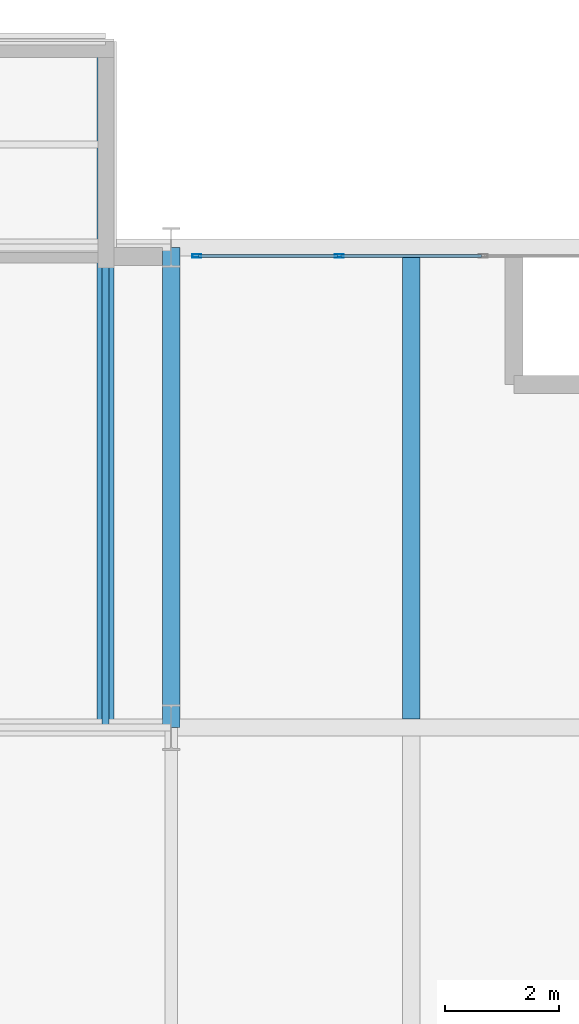
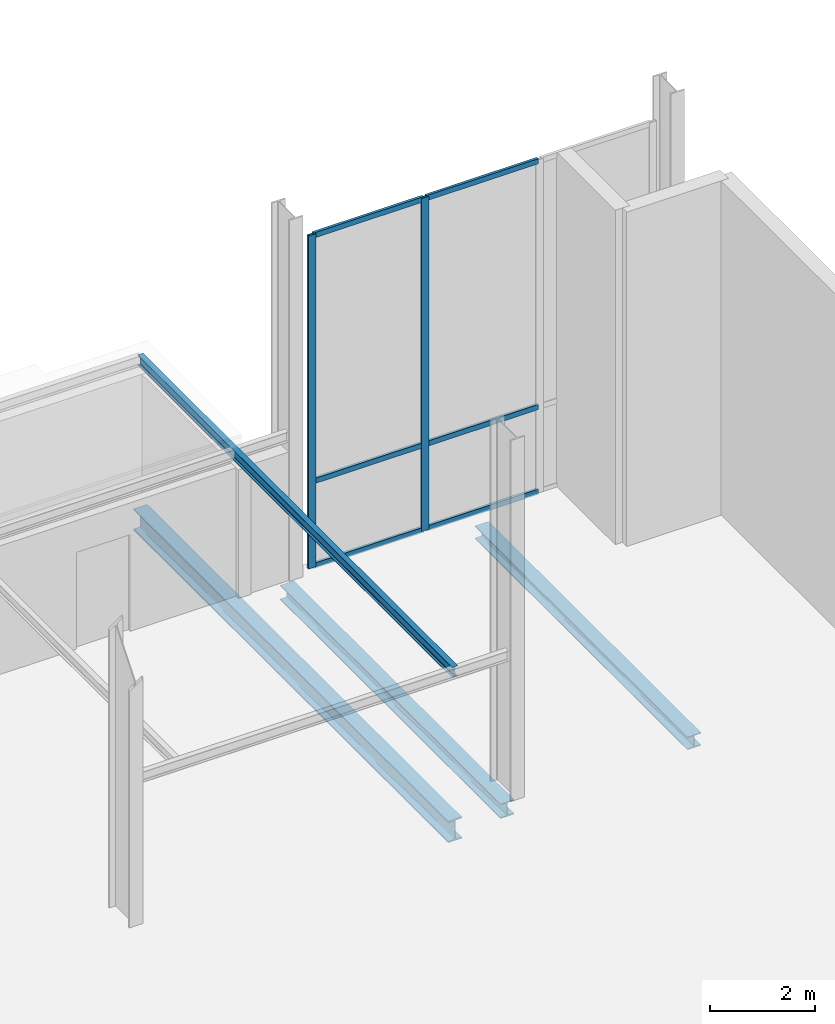
# One storey, part 80 of 131: 8 members, 4 beams, 1 element without a shape of its own.
"""IFC4 building model written with IfcOpenShell, lengths in metres."""

from ifc_helpers import new_model, si_unit, direction, frame, origin, origin_2d, place, context, subcontext, project, spatial, hollow_rectangle, i_section, extrude, material, material_profile, profile_set, type_object, element, aggregate, save


model = new_model("IFC4")

# Units and contexts
model_context = context("Model", 3, precision=1e-05, world=origin(), true_north=direction((0.0, 1.0)))
body_context = subcontext(model_context, "Body", "Model", "MODEL_VIEW")
ifc_project = project(units=[si_unit("LENGTHUNIT", "METRE"), si_unit("AREAUNIT", "SQUARE_METRE"), si_unit("VOLUMEUNIT", "CUBIC_METRE"), si_unit("PLANEANGLEUNIT", "RADIAN"), si_unit("MASSUNIT", "GRAM", prefix="KILO")], contexts=[model_context])

# Site, building, storey
site_placement = place(None, origin())
site = spatial("IfcSite", under=ifc_project, at=site_placement, CompositionType="ELEMENT")
building_placement = place(site_placement, origin())
building = spatial("IfcBuilding", under=site, at=building_placement, Name="Veltarok Museum of Natural Sciences", CompositionType="ELEMENT")
storey_placement = place(building_placement, origin())
storey = spatial("IfcBuildingStorey", under=building, at=storey_placement, Name="L00", CompositionType="ELEMENT", Elevation=0.0)

# Beams
ifc_material_1 = material(Name="Steel S355J2", Category="steel")
ifc_material_profile_1 = material_profile(ifc_material_1, i_section(OverallWidth=0.300048828125, OverallDepth=0.5, WebThickness=0.014404296875, FlangeThickness=0.028076171875, FilletRadius=0.027099609375, at=origin_2d()), Name="HEB 500")
ifc_profile_set_1 = profile_set([ifc_material_profile_1], Name="Steel S355J2")
beam_type_1 = type_object("IfcBeamType", Name="Cabinet Box Cantilever Girder HEB 500", PredefinedType="BEAM", material=ifc_profile_set_1)
beam_1_placement = place(storey_placement, frame((72.449951171875, 100.800048828125, -0.550048828125), z_axis=(0.0, 1.0, 0.0), x_axis=(-1.0, 0.0, 0.0)))
element("IfcBeam", 1, at=beam_1_placement, inside=storey, type_object=beam_type_1, Name="Cabinet Cantilever Girder DB-34-2", PredefinedType="BEAM", context=body_context, shape_type="SweptSolid", body=[
    extrude(i_section(OverallWidth=0.300048828125, OverallDepth=0.5, WebThickness=0.014404296875, FlangeThickness=0.028076171875, FilletRadius=0.027099609375, at=origin_2d()), origin(), (0.0, 0.0, 1.0), 12.0),
])
ifc_material_profile_2 = material_profile(ifc_material_1, i_section(OverallWidth=0.1201171875, OverallDepth=0.239990234375, WebThickness=0.006103515625, FlangeThickness=0.009765625, FilletRadius=0.014892578125, at=origin_2d()), Name="IPE 240")
ifc_profile_set_2 = profile_set([ifc_material_profile_2], Name="Steel S355J2")
beam_type_2 = type_object("IfcBeamType", Name="Cabinet Box Secondary Joist IPE 240", PredefinedType="JOIST", material=ifc_profile_set_2)
beam_2_placement = place(storey_placement, frame((72.449951171875, 100.800048828125, 3.1298828125), z_axis=(0.0, 1.0, 0.0), x_axis=(-1.0, 0.0, 0.0)))
element("IfcBeam", 2, at=beam_2_placement, inside=storey, type_object=beam_type_2, Name="Cabinet Roof Rafter DB-34-2", PredefinedType="JOIST", context=body_context, shape_type="SweptSolid", body=[
    extrude(i_section(OverallWidth=0.1201171875, OverallDepth=0.239990234375, WebThickness=0.006103515625, FlangeThickness=0.009765625, FilletRadius=0.014892578125, at=origin_2d()), origin(), (0.0, 0.0, 1.0), 12.0),
])

# Curtain wall, members
ifc_material_2 = material(Name="Low-iron triple insulated glass", Category="glass")
curtain_wall_type = type_object("IfcCurtainWallType", Name="Curtain Wall System CW-V2NP-L00-9-756x775 (North Pavilion L00 9-10 756x775cm)", PredefinedType="NOTDEFINED", material=ifc_material_2)
curtain_wall_placement = place(storey_placement, origin())
curtain_wall = element("IfcCurtainWall", 3, at=curtain_wall_placement, inside=storey, type_object=curtain_wall_type, Name="Curtain Wall CW-V2NP-L00-9-756x775 CW-0068", PredefinedType="NOTDEFINED")
ifc_material_3 = material(Name="Thermally broken anodised aluminium", Category="aluminium")
ifc_material_profile_3 = material_profile(ifc_material_3, hollow_rectangle(XDim=0.06005859375, YDim=0.1201171875, WallThickness=0.0048828125, at=origin_2d()), Name="CW TRANSOM 60x120x5")
ifc_profile_set_3 = profile_set([ifc_material_profile_3], Name="Thermally broken anodised aluminium")
member_type_1 = type_object("IfcMemberType", Name="Curtain Wall Horizontal Transom 60x120x5", PredefinedType="USERDEFINED", material=ifc_profile_set_3)
member_1_placement = place(storey_placement, frame((79.030029296875, 109.050048828125, 0.030029296875), z_axis=(-1.0, 0.0, 0.0), x_axis=(0.0, -1.0, 0.0)))
member_1 = element("IfcMember", 4, at=member_1_placement, type_object=member_type_1, Name="CW-V2NP-L00-9-756x775 transom 2.1", ObjectType="TRANSOM", PredefinedType="USERDEFINED", context=body_context, shape_type="SweptSolid", body=[
    extrude(hollow_rectangle(XDim=0.06005859375, YDim=0.1201171875, WallThickness=0.0048828125, at=origin_2d()), origin(), (0.0, 0.0, 1.0), 2.4599609375),
])
member_2_placement = place(storey_placement, frame((79.030029296875, 109.050048828125, 2.0), z_axis=(-1.0, 0.0, 0.0), x_axis=(0.0, -1.0, 0.0)))
member_2 = element("IfcMember", 5, at=member_2_placement, type_object=member_type_1, Name="CW-V2NP-L00-9-756x775 transom 2.2", ObjectType="TRANSOM", PredefinedType="USERDEFINED", context=body_context, shape_type="SweptSolid", body=[
    extrude(hollow_rectangle(XDim=0.06005859375, YDim=0.1201171875, WallThickness=0.0048828125, at=origin_2d()), origin(), (0.0, 0.0, 1.0), 2.4599609375),
])
member_3_placement = place(storey_placement, frame((79.030029296875, 109.050048828125, 7.719970703125), z_axis=(-1.0, 0.0, 0.0), x_axis=(0.0, -1.0, 0.0)))
member_3 = element("IfcMember", 6, at=member_3_placement, type_object=member_type_1, Name="CW-V2NP-L00-9-756x775 transom 2.3", ObjectType="TRANSOM", PredefinedType="USERDEFINED", context=body_context, shape_type="SweptSolid", body=[
    extrude(hollow_rectangle(XDim=0.06005859375, YDim=0.1201171875, WallThickness=0.0048828125, at=origin_2d()), origin(), (0.0, 0.0, 1.0), 2.4599609375),
])
member_4_placement = place(storey_placement, frame((76.510009765625, 109.050048828125, 0.030029296875), z_axis=(-1.0, 0.0, 0.0), x_axis=(0.0, -1.0, 0.0)))
member_4 = element("IfcMember", 7, at=member_4_placement, type_object=member_type_1, Name="CW-V2NP-L00-9-756x775 transom 3.1", ObjectType="TRANSOM", PredefinedType="USERDEFINED", context=body_context, shape_type="SweptSolid", body=[
    extrude(hollow_rectangle(XDim=0.06005859375, YDim=0.1201171875, WallThickness=0.0048828125, at=origin_2d()), origin(), (0.0, 0.0, 1.0), 2.429931640625),
])
member_5_placement = place(storey_placement, frame((76.510009765625, 109.050048828125, 2.0), z_axis=(-1.0, 0.0, 0.0), x_axis=(0.0, -1.0, 0.0)))
member_5 = element("IfcMember", 8, at=member_5_placement, type_object=member_type_1, Name="CW-V2NP-L00-9-756x775 transom 3.2", ObjectType="TRANSOM", PredefinedType="USERDEFINED", context=body_context, shape_type="SweptSolid", body=[
    extrude(hollow_rectangle(XDim=0.06005859375, YDim=0.1201171875, WallThickness=0.0048828125, at=origin_2d()), origin(), (0.0, 0.0, 1.0), 2.429931640625),
])
member_6_placement = place(storey_placement, frame((76.510009765625, 109.050048828125, 7.719970703125), z_axis=(-1.0, 0.0, 0.0), x_axis=(0.0, -1.0, 0.0)))
member_6 = element("IfcMember", 9, at=member_6_placement, type_object=member_type_1, Name="CW-V2NP-L00-9-756x775 transom 3.3", ObjectType="TRANSOM", PredefinedType="USERDEFINED", context=body_context, shape_type="SweptSolid", body=[
    extrude(hollow_rectangle(XDim=0.06005859375, YDim=0.1201171875, WallThickness=0.0048828125, at=origin_2d()), origin(), (0.0, 0.0, 1.0), 2.429931640625),
])
ifc_material_profile_4 = material_profile(ifc_material_3, hollow_rectangle(XDim=0.06005859375, YDim=0.159912109375, WallThickness=0.0048828125, at=origin_2d()), Name="CW MULLION 60x160x5")
ifc_profile_set_4 = profile_set([ifc_material_profile_4], Name="Thermally broken anodised aluminium")
member_type_2 = type_object("IfcMemberType", Name="Curtain Wall Vertical Mullion 60x160x5", PredefinedType="MULLION", material=ifc_profile_set_4)
member_7_placement = place(storey_placement, frame((76.5400390625, 109.050048828125, 0.0), z_axis=(0.0, 0.0, 1.0), x_axis=(0.0, -1.0, 0.0)))
member_7 = element("IfcMember", 10, at=member_7_placement, type_object=member_type_2, Name="CW-V2NP-L00-9-756x775 mullion 3", PredefinedType="MULLION", context=body_context, shape_type="SweptSolid", body=[
    extrude(hollow_rectangle(XDim=0.06005859375, YDim=0.159912109375, WallThickness=0.0048828125, at=origin_2d()), origin(), (0.0, 0.0, 1.0), 7.75),
])
member_8_placement = place(storey_placement, frame((74.050048828125, 109.050048828125, 0.0), z_axis=(0.0, 0.0, 1.0), x_axis=(0.0, -1.0, 0.0)))
member_8 = element("IfcMember", 11, at=member_8_placement, type_object=member_type_2, Name="CW-V2NP-L00-9-756x775 mullion 4", PredefinedType="MULLION", context=body_context, shape_type="SweptSolid", body=[
    extrude(hollow_rectangle(XDim=0.06005859375, YDim=0.159912109375, WallThickness=0.0048828125, at=origin_2d()), origin(), (0.0, 0.0, 1.0), 7.75),
])
aggregate(curtain_wall, [member_7, member_8, member_1, member_2, member_3, member_4, member_5, member_6])

# Beams
ifc_material_profile_5 = material_profile(ifc_material_1, i_section(OverallWidth=0.300048828125, OverallDepth=0.300048828125, WebThickness=0.010986328125, FlangeThickness=0.01904296875, FilletRadius=0.027099609375, at=origin_2d()), Name="HEB 300")
ifc_profile_set_5 = profile_set([ifc_material_profile_5], Name="Steel S355J2")
beam_type_3 = type_object("IfcBeamType", Name="Laboratory Floor Joist HEB 300", PredefinedType="JOIST", material=ifc_profile_set_5)
beam_3_placement = place(storey_placement, frame((77.800048828125, 100.947998046875, -0.449951171875), z_axis=(0.0, 1.0, 0.0), x_axis=(-1.0, 0.0, 0.0)))
element("IfcBeam", 12, at=beam_3_placement, inside=storey, type_object=beam_type_3, Name="Secondary Joist BM-J10 L00 9-10/L-M.1", PredefinedType="JOIST", context=body_context, shape_type="SweptSolid", body=[
    extrude(i_section(OverallWidth=0.300048828125, OverallDepth=0.300048828125, WebThickness=0.010986328125, FlangeThickness=0.01904296875, FilletRadius=0.027099609375, at=origin_2d()), origin(), (0.0, 0.0, 1.0), 8.10400390625),
])
ifc_material_profile_6 = material_profile(ifc_material_1, i_section(OverallWidth=0.300048828125, OverallDepth=0.340087890625, WebThickness=0.011962890625, FlangeThickness=0.021484375, FilletRadius=0.027099609375, at=origin_2d()), Name="HEB 340")
ifc_profile_set_6 = profile_set([ifc_material_profile_6], Name="Steel S355J2")
beam_type_4 = type_object("IfcBeamType", Name="Perimeter Bridge Spandrel HEB 340", PredefinedType="SPANDREL", material=ifc_profile_set_6)
beam_4_placement = place(storey_placement, frame((73.60009765625, 100.800048828125, -0.469970703125), z_axis=(0.0, 1.0, 0.0), x_axis=(-1.0, 0.0, 0.0)))
element("IfcBeam", 13, at=beam_4_placement, inside=storey, type_object=beam_type_4, Name="Beam BM-SP07 L00 9/L-M", PredefinedType="SPANDREL", context=body_context, shape_type="SweptSolid", body=[
    extrude(i_section(OverallWidth=0.300048828125, OverallDepth=0.340087890625, WebThickness=0.011962890625, FlangeThickness=0.021484375, FilletRadius=0.027099609375, at=origin_2d()), origin(), (0.0, 0.0, 1.0), 8.39990234375),
])

save(model, "model.ifc")
